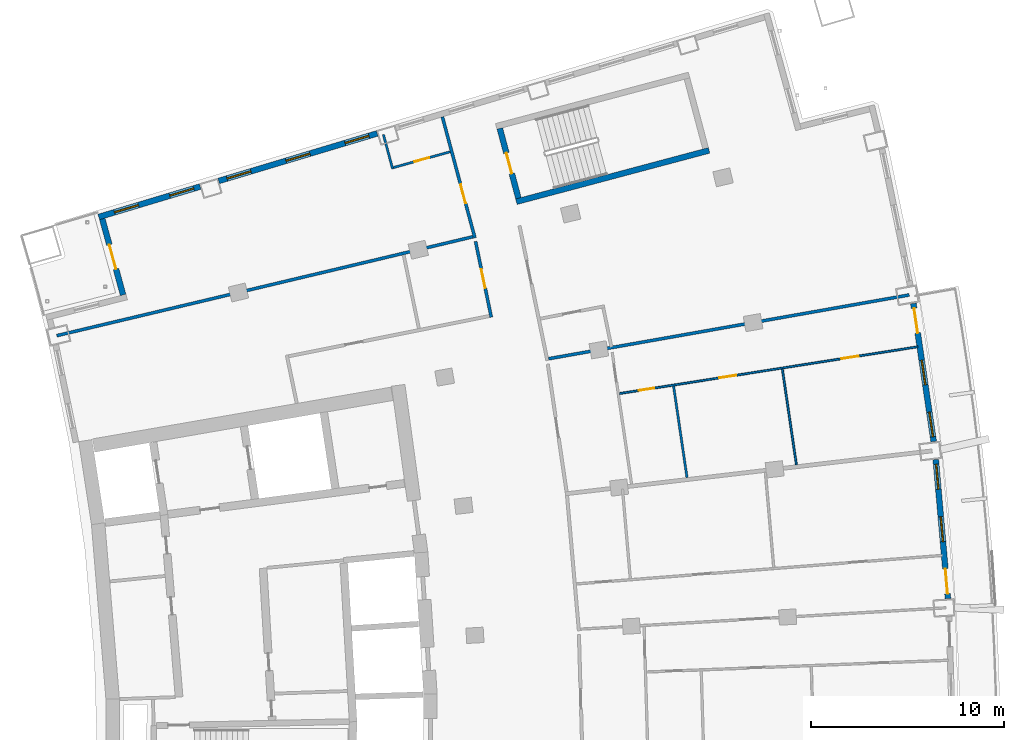
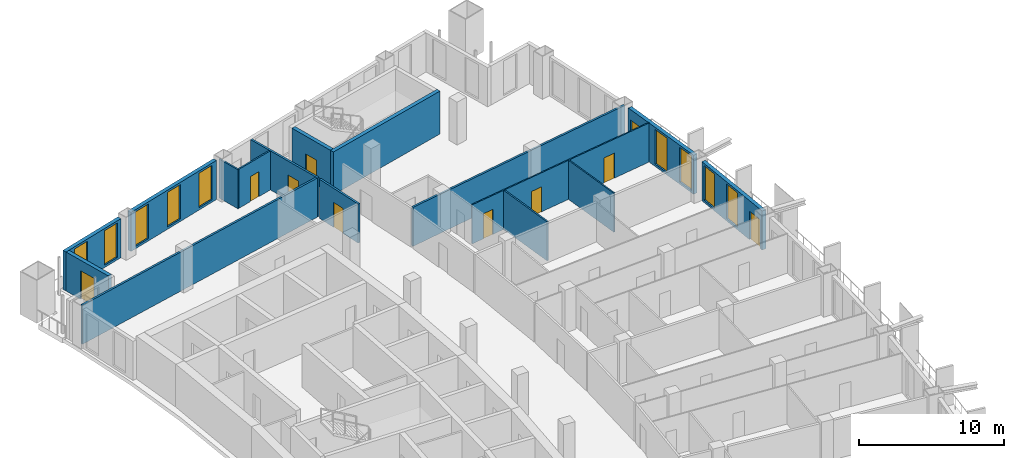
# One storey, part 16 of 20: 16 walls, 10 doors, 9 windows, 19 openings.
"""IFC4 building model written with IfcOpenShell, lengths in metres."""

from ifc_helpers import new_model, si_unit, direction, frame, frame_2d, origin, place, context, subcontext, project, spatial, rectangle, extrude, material, layer, layer_set, type_object, element, fill, save


model = new_model("IFC4")

# Units and contexts
model_context = context("Model", 3, precision=1e-05, world=origin(), true_north=direction((0.0, 1.0)))
body_context = subcontext(model_context, "Body", "Model", "MODEL_VIEW")
ifc_project = project(units=[si_unit("LENGTHUNIT", "METRE"), si_unit("AREAUNIT", "SQUARE_METRE"), si_unit("VOLUMEUNIT", "CUBIC_METRE"), si_unit("PLANEANGLEUNIT", "RADIAN"), si_unit("MASSUNIT", "GRAM", prefix="KILO")], contexts=[model_context])

# Site, building, storey
site_placement = place(None, origin())
site = spatial("IfcSite", under=ifc_project, at=site_placement, CompositionType="ELEMENT")
building_placement = place(site_placement, origin())
building = spatial("IfcBuilding", under=site, at=building_placement, Name="Alderwake Tower", CompositionType="ELEMENT")
storey_placement = place(building_placement, frame((0.0, 0.0, 142.39990234375)))
storey = spatial("IfcBuildingStorey", under=building, at=storey_placement, Name="L34", CompositionType="ELEMENT", Elevation=142.39990234375)

# Wall
ifc_material_1 = material(Name="Concrete C70/85", Category="concrete")
ifc_layer_1 = layer(ifc_material_1, 0.300048828125)
ifc_layer_set_1 = layer_set([ifc_layer_1], Name="Core wall stair enclosure 300 C70-85")
wall_type_1 = type_object("IfcWallType", Name="Core wall stair enclosure 300 C70-85", PredefinedType="SHEAR", material=ifc_layer_set_1)
wall_1_placement = place(storey_placement, frame((37.75390625, 90.268798828125, 0.0), z_axis=(0.0, 0.0, 1.0), x_axis=(0.966309214305, 0.257383958996, 0.0)))
element("IfcWall", 1, at=wall_1_placement, inside=storey, type_object=wall_type_1, Name="Core wall CW.084", PredefinedType="SHEAR", context=body_context, shape_type="SweptSolid", body=[
    extrude(rectangle(XDim=10.360107421875, YDim=0.300048828125, at=frame_2d((5.18017578125, 0.0))), origin(), (0.0, 0.0, 1.0), 3.60009765625),
])

# Wall, opening, door
wall_2_placement = place(storey_placement, frame((37.8603515625, 90.452392578125, 0.0), z_axis=(0.0, 0.0, 1.0), x_axis=(-0.257411420208, 0.966301899381, 0.0)))
wall_2 = element("IfcWall", 2, at=wall_2_placement, inside=storey, type_object=wall_type_1, Name="Core wall CW.083", PredefinedType="SHEAR", context=body_context, shape_type="SweptSolid", body=[
    extrude(rectangle(XDim=3.750244140625, YDim=0.300048828125, at=frame_2d((1.875, 0.0))), origin(), (0.0, 0.0, 1.0), 3.60009765625),
])
opening_1_placement = place(wall_2_placement, frame((1.324951171875, 0.0, 0.0)))
opening_1 = element("IfcOpeningElement", 3, at=opening_1_placement, cuts=wall_2, Name="Opening C062", PredefinedType="OPENING", context=body_context, shape_type="SweptSolid", body=[
    extrude(rectangle(XDim=1.10009765625, YDim=2.10009765625, at=frame_2d((0.550048828125, 1.050048828125))), frame((0.0, 0.159912109375, 0.0), z_axis=(0.0, -1.0, 0.0), x_axis=(1.0, 0.0, 0.0)), (0.0, 0.0, 1.0), 0.320068359375),
])
ifc_material_2 = material(Name="Steel-framed fire door leaf", Category="steel")
door_type_1 = type_object("IfcDoorType", Name="Core stair door 1100 fire-rated", OperationType="SINGLE_SWING_LEFT", PredefinedType="DOOR", material=ifc_material_2)
door_1_placement = place(opening_1_placement, origin())
door_1 = element("IfcDoor", 4, at=door_1_placement, inside=storey, type_object=door_type_1, Name="Stair door", OperationType="SINGLE_SWING_RIGHT", OverallHeight=2.10009765625, OverallWidth=1.10009765625, PredefinedType="DOOR", context=body_context, shape_type="SweptSolid", body=[
    extrude(rectangle(XDim=1.10009765625, YDim=2.10009765625, at=frame_2d((0.550048828125, 1.050048828125))), frame((0.0, 0.02490234375, 0.0), z_axis=(0.0, -1.0, 0.0), x_axis=(1.0, 0.0, 0.0)), (0.0, 0.0, 1.0), 0.050048828125),
])
fill(opening_1, door_1)

ifc_material_3 = material(Name="Gypsum board on metal studs, rated")
ifc_layer_2 = layer(ifc_material_3, 0.159912109375)
ifc_layer_set_2 = layer_set([ifc_layer_2], Name="Corridor wall 160")
wall_type_2 = type_object("IfcWallType", Name="Corridor wall 160", PredefinedType="PARTITIONING", material=ifc_layer_set_2)
wall_3_placement = place(storey_placement, frame((35.600830078125, 88.392578125, 0.0), z_axis=(0.0, 0.0, 1.0), x_axis=(-0.259509260101, 0.965740619381, 0.0)))
wall_3 = element("IfcWall", 5, at=wall_3_placement, inside=storey, type_object=wall_type_2, Name="WL/L34/W15", PredefinedType="PARTITIONING", context=body_context, shape_type="SweptSolid", body=[
    extrude(rectangle(XDim=6.50732421875, YDim=0.159912109375, at=frame_2d((3.253662109375, 0.0))), origin(), (0.0, 0.0, 1.0), 3.280029296875),
])
opening_2_placement = place(wall_3_placement, frame((1.865478515625, 0.0, 0.0)))
opening_2 = element("IfcOpeningElement", 6, at=opening_2_placement, cuts=wall_3, Name="Opening R09-U09.1", PredefinedType="OPENING", context=body_context, shape_type="SweptSolid", body=[
    extrude(rectangle(XDim=1.0, YDim=2.10009765625, at=frame_2d((0.5, 1.050048828125))), frame((0.0, 0.08984375, 0.0), z_axis=(0.0, -1.0, 0.0), x_axis=(1.0, 0.0, 0.0)), (0.0, 0.0, 1.0), 0.179931640625),
])
ifc_material_4 = material(Name="Solid timber leaf in steel frame", Category="steel")
door_type_2 = type_object("IfcDoorType", Name="Flat entrance door 1000 fire-rated", OperationType="SINGLE_SWING_LEFT", PredefinedType="DOOR", material=ifc_material_4)
door_2_placement = place(opening_2_placement, origin())
door_2 = element("IfcDoor", 7, at=door_2_placement, inside=storey, type_object=door_type_2, Name="DR/L34/U09.1", OperationType="SINGLE_SWING_LEFT", OverallHeight=2.10009765625, OverallWidth=1.0, PredefinedType="DOOR", context=body_context, shape_type="SweptSolid", body=[
    extrude(rectangle(XDim=1.0, YDim=2.10009765625, at=frame_2d((0.5, 1.050048828125))), frame((0.0, 0.02490234375, 0.0), z_axis=(0.0, -1.0, 0.0), x_axis=(1.0, 0.0, 0.0)), (0.0, 0.0, 1.0), 0.050048828125),
])
fill(opening_2, door_2)

# Wall
wall_4_placement = place(storey_placement, frame((35.502197265625, 88.451416015625, 0.0), z_axis=(0.0, 0.0, 1.0), x_axis=(-0.972894913244, -0.231247676278, 0.0)))
element("IfcWall", 8, at=wall_4_placement, inside=storey, type_object=wall_type_2, Name="WL/L34/W17", PredefinedType="PARTITIONING", context=body_context, shape_type="SweptSolid", body=[
    extrude(rectangle(XDim=22.220458984375, YDim=0.159912109375, at=frame_2d((11.1103515625, 0.0))), origin(), (0.0, 0.0, 1.0), 3.280029296875),
])

# Wall, opening, door
wall_5_placement = place(storey_placement, frame((36.451416015625, 84.272705078125, 0.0), z_axis=(0.0, 0.0, 1.0), x_axis=(-0.203258199701, 0.979125172924, 0.0)))
wall_5 = element("IfcWall", 9, at=wall_5_placement, inside=storey, type_object=wall_type_2, Name="WL/L34/W18", PredefinedType="PARTITIONING", context=body_context, shape_type="SweptSolid", body=[
    extrude(rectangle(XDim=4.020263671875, YDim=0.159912109375, at=frame_2d((2.01025390625, 0.0))), origin(), (0.0, 0.0, 1.0), 3.280029296875),
])
opening_3_placement = place(wall_5_placement, frame((1.549560546875, 0.0, 0.0)))
opening_3 = element("IfcOpeningElement", 10, at=opening_3_placement, cuts=wall_5, Name="Opening R09-SBN2", PredefinedType="OPENING", context=body_context, shape_type="SweptSolid", body=[
    extrude(rectangle(XDim=1.0, YDim=2.10009765625, at=frame_2d((0.5, 1.050048828125))), frame((0.0, 0.08984375, 0.0), z_axis=(0.0, -1.0, 0.0), x_axis=(1.0, 0.0, 0.0)), (0.0, 0.0, 1.0), 0.179931640625),
])
ifc_material_5 = material(Name="Steel-framed fire door leaf", Category="steel")
door_type_3 = type_object("IfcDoorType", Name="Plant room door 1000 fire-rated", OperationType="SINGLE_SWING_LEFT", PredefinedType="DOOR", material=ifc_material_5)
door_3_placement = place(opening_3_placement, origin())
door_3 = element("IfcDoor", 11, at=door_3_placement, inside=storey, type_object=door_type_3, Name="DR/L34/SBN2", OperationType="SINGLE_SWING_LEFT", OverallHeight=2.10009765625, OverallWidth=1.0, PredefinedType="DOOR", context=body_context, shape_type="SweptSolid", body=[
    extrude(rectangle(XDim=1.0, YDim=2.10009765625, at=frame_2d((0.5, 1.050048828125))), frame((0.0, 0.02490234375, 0.0), z_axis=(0.0, -1.0, 0.0), x_axis=(1.0, 0.0, 0.0)), (0.0, 0.0, 1.0), 0.050048828125),
])
fill(opening_3, door_3)

# Wall
wall_6_placement = place(storey_placement, frame((58.157958984375, 85.427978515625, 0.0), z_axis=(0.0, 0.0, 1.0), x_axis=(-0.9847161674, -0.174166786904, 0.0)))
element("IfcWall", 12, at=wall_6_placement, inside=storey, type_object=wall_type_2, Name="WL/L34/W29", PredefinedType="PARTITIONING", context=body_context, shape_type="SweptSolid", body=[
    extrude(rectangle(XDim=19.02197265625, YDim=0.159912109375, at=frame_2d((9.510986328125, 0.0))), origin(), (0.0, 0.0, 1.0), 3.280029296875),
])

# Wall, openings, door, windows
ifc_material_6 = material(Name="Precast concrete C50/60 spandrel panel", Category="concrete")
ifc_layer_3 = layer(ifc_material_6, 0.300048828125)
ifc_layer_set_3 = layer_set([ifc_layer_3], Name="External wall EW1 Precast concrete C50/60 spandrel")
wall_type_3 = type_object("IfcWallType", Name="External wall EW1 Precast concrete C50/60 spandrel", PredefinedType="SOLIDWALL", material=ifc_layer_set_3)
wall_7_placement = place(storey_placement, frame((60.169677734375, 69.65966796875, 0.0), z_axis=(0.0, 0.0, 1.0), x_axis=(-0.08737260162, 0.996175701614, 0.0)))
wall_7 = element("IfcWall", 13, at=wall_7_placement, inside=storey, type_object=wall_type_3, Name="External wall 17", PredefinedType="SOLIDWALL", context=body_context, shape_type="SweptSolid", body=[
    extrude(rectangle(XDim=7.245361328125, YDim=0.300048828125, at=frame_2d((3.62255859375, 0.0))), origin(), (0.0, 0.0, 1.0), 3.280029296875),
])
opening_4_placement = place(wall_7_placement, frame((0.2470703125, 0.0, 0.0)))
opening_4 = element("IfcOpeningElement", 14, at=opening_4_placement, cuts=wall_7, Name="Opening D07", PredefinedType="OPENING", context=body_context, shape_type="SweptSolid", body=[
    extrude(rectangle(XDim=1.300048828125, YDim=2.39990234375, at=frame_2d((0.64990234375, 1.199951171875))), frame((0.0, 0.159912109375, 0.0), z_axis=(0.0, -1.0, 0.0), x_axis=(1.0, 0.0, 0.0)), (0.0, 0.0, 1.0), 0.320068359375),
])
opening_5_placement = place(wall_7_placement, frame((2.97265625, 0.0, 0.199951171875)))
opening_5 = element("IfcOpeningElement", 15, at=opening_5_placement, cuts=wall_7, Name="Opening W1", PredefinedType="OPENING", context=body_context, shape_type="SweptSolid", body=[
    extrude(rectangle(XDim=1.300048828125, YDim=2.89990234375, at=frame_2d((0.64990234375, 1.449951171875))), frame((0.0, 0.159912109375, 0.0), z_axis=(0.0, -1.0, 0.0), x_axis=(1.0, 0.0, 0.0)), (0.0, 0.0, 1.0), 0.320068359375),
])
opening_6_placement = place(wall_7_placement, frame((5.698486328125, 0.0, 0.199951171875)))
opening_6 = element("IfcOpeningElement", 16, at=opening_6_placement, cuts=wall_7, Name="Opening W1", PredefinedType="OPENING", context=body_context, shape_type="SweptSolid", body=[
    extrude(rectangle(XDim=1.300048828125, YDim=2.89990234375, at=frame_2d((0.64990234375, 1.449951171875))), frame((0.0, 0.159912109375, 0.0), z_axis=(0.0, -1.0, 0.0), x_axis=(1.0, 0.0, 0.0)), (0.0, 0.0, 1.0), 0.320068359375),
])
ifc_material_7 = material(Name="Bronze tinted glass in aluminium frame", Category="aluminium")
door_type_4 = type_object("IfcDoorType", Name="Balcony door BD sliding", OperationType="SLIDING_TO_LEFT", PredefinedType="DOOR", material=ifc_material_7)
door_4_placement = place(opening_4_placement, origin())
door_4 = element("IfcDoor", 17, at=door_4_placement, inside=storey, type_object=door_type_4, Name="Door D07", OperationType="SLIDING_TO_LEFT", OverallHeight=2.39990234375, OverallWidth=1.300048828125, PredefinedType="DOOR", context=body_context, shape_type="SweptSolid", body=[
    extrude(rectangle(XDim=1.300048828125, YDim=2.39990234375, at=frame_2d((0.64990234375, 1.199951171875))), frame((0.0, 0.02490234375, 0.0), z_axis=(0.0, -1.0, 0.0), x_axis=(1.0, 0.0, 0.0)), (0.0, 0.0, 1.0), 0.050048828125),
])
fill(opening_4, door_4)
ifc_material_8 = material(Name="Bronze tinted glass in aluminium frame", Category="aluminium")
window_type = type_object("IfcWindowType", Name="Window W1 tall fixed and vent", PartitioningType="DOUBLE_PANEL_VERTICAL", PredefinedType="WINDOW", material=ifc_material_8)
window_1_placement = place(opening_5_placement, origin())
window_1 = element("IfcWindow", 18, at=window_1_placement, inside=storey, type_object=window_type, Name="Window W1 tall fixed and vent", OverallHeight=2.89990234375, OverallWidth=1.300048828125, PartitioningType="DOUBLE_PANEL_VERTICAL", PredefinedType="WINDOW", context=body_context, shape_type="SweptSolid", body=[
    extrude(rectangle(XDim=1.300048828125, YDim=2.89990234375, at=frame_2d((0.64990234375, 1.449951171875))), frame((0.0, 0.030029296875, 0.0), z_axis=(0.0, -1.0, 0.0), x_axis=(1.0, 0.0, 0.0)), (0.0, 0.0, 1.0), 0.06005859375),
])
fill(opening_5, window_1)
window_2_placement = place(opening_6_placement, origin())
window_2 = element("IfcWindow", 19, at=window_2_placement, inside=storey, type_object=window_type, Name="Window W1 tall fixed and vent", OverallHeight=2.89990234375, OverallWidth=1.300048828125, PartitioningType="DOUBLE_PANEL_VERTICAL", PredefinedType="WINDOW", context=body_context, shape_type="SweptSolid", body=[
    extrude(rectangle(XDim=1.300048828125, YDim=2.89990234375, at=frame_2d((0.64990234375, 1.449951171875))), frame((0.0, 0.030029296875, 0.0), z_axis=(0.0, -1.0, 0.0), x_axis=(1.0, 0.0, 0.0)), (0.0, 0.0, 1.0), 0.06005859375),
])
fill(opening_6, window_2)

wall_8_placement = place(storey_placement, frame((59.426513671875, 77.81689453125, 0.0), z_axis=(0.0, 0.0, 1.0), x_axis=(-0.145331014962, 0.989383088642, 0.0)))
wall_8 = element("IfcWall", 20, at=wall_8_placement, inside=storey, type_object=wall_type_3, Name="External wall 18", PredefinedType="SOLIDWALL", context=body_context, shape_type="SweptSolid", body=[
    extrude(rectangle(XDim=7.245361328125, YDim=0.300048828125, at=frame_2d((3.62255859375, 0.0))), origin(), (0.0, 0.0, 1.0), 3.280029296875),
])
opening_7_placement = place(wall_8_placement, frame((0.2470703125, 0.0, 0.199951171875)))
opening_7 = element("IfcOpeningElement", 21, at=opening_7_placement, cuts=wall_8, Name="Opening W1", PredefinedType="OPENING", context=body_context, shape_type="SweptSolid", body=[
    extrude(rectangle(XDim=1.300048828125, YDim=2.89990234375, at=frame_2d((0.64990234375, 1.449951171875))), frame((0.0, 0.159912109375, 0.0), z_axis=(0.0, -1.0, 0.0), x_axis=(1.0, 0.0, 0.0)), (0.0, 0.0, 1.0), 0.320068359375),
])
opening_8_placement = place(wall_8_placement, frame((2.97265625, 0.0, 0.199951171875)))
opening_8 = element("IfcOpeningElement", 22, at=opening_8_placement, cuts=wall_8, Name="Opening W1", PredefinedType="OPENING", context=body_context, shape_type="SweptSolid", body=[
    extrude(rectangle(XDim=1.300048828125, YDim=2.89990234375, at=frame_2d((0.64990234375, 1.449951171875))), frame((0.0, 0.159912109375, 0.0), z_axis=(0.0, -1.0, 0.0), x_axis=(1.0, 0.0, 0.0)), (0.0, 0.0, 1.0), 0.320068359375),
])
opening_9_placement = place(wall_8_placement, frame((5.698486328125, 0.0, 0.0)))
opening_9 = element("IfcOpeningElement", 23, at=opening_9_placement, cuts=wall_8, Name="Opening D08", PredefinedType="OPENING", context=body_context, shape_type="SweptSolid", body=[
    extrude(rectangle(XDim=1.300048828125, YDim=2.39990234375, at=frame_2d((0.64990234375, 1.199951171875))), frame((0.0, 0.159912109375, 0.0), z_axis=(0.0, -1.0, 0.0), x_axis=(1.0, 0.0, 0.0)), (0.0, 0.0, 1.0), 0.320068359375),
])
door_5_placement = place(opening_9_placement, origin())
door_5 = element("IfcDoor", 24, at=door_5_placement, inside=storey, type_object=door_type_4, Name="Door D08", OperationType="SLIDING_TO_LEFT", OverallHeight=2.39990234375, OverallWidth=1.300048828125, PredefinedType="DOOR", context=body_context, shape_type="SweptSolid", body=[
    extrude(rectangle(XDim=1.300048828125, YDim=2.39990234375, at=frame_2d((0.64990234375, 1.199951171875))), frame((0.0, 0.02490234375, 0.0), z_axis=(0.0, -1.0, 0.0), x_axis=(1.0, 0.0, 0.0)), (0.0, 0.0, 1.0), 0.050048828125),
])
fill(opening_9, door_5)
window_3_placement = place(opening_7_placement, origin())
window_3 = element("IfcWindow", 25, at=window_3_placement, inside=storey, type_object=window_type, Name="Window W1 tall fixed and vent", OverallHeight=2.89990234375, OverallWidth=1.300048828125, PartitioningType="DOUBLE_PANEL_VERTICAL", PredefinedType="WINDOW", context=body_context, shape_type="SweptSolid", body=[
    extrude(rectangle(XDim=1.300048828125, YDim=2.89990234375, at=frame_2d((0.64990234375, 1.449951171875))), frame((0.0, 0.030029296875, 0.0), z_axis=(0.0, -1.0, 0.0), x_axis=(1.0, 0.0, 0.0)), (0.0, 0.0, 1.0), 0.06005859375),
])
fill(opening_7, window_3)
window_4_placement = place(opening_8_placement, origin())
window_4 = element("IfcWindow", 26, at=window_4_placement, inside=storey, type_object=window_type, Name="Window W1 tall fixed and vent", OverallHeight=2.89990234375, OverallWidth=1.300048828125, PartitioningType="DOUBLE_PANEL_VERTICAL", PredefinedType="WINDOW", context=body_context, shape_type="SweptSolid", body=[
    extrude(rectangle(XDim=1.300048828125, YDim=2.89990234375, at=frame_2d((0.64990234375, 1.449951171875))), frame((0.0, 0.030029296875, 0.0), z_axis=(0.0, -1.0, 0.0), x_axis=(1.0, 0.0, 0.0)), (0.0, 0.0, 1.0), 0.06005859375),
])
fill(opening_8, window_4)

# Wall, openings, windows
ifc_material_9 = material(Name="Bronze metal cladding on lightweight framing")
ifc_layer_4 = layer(ifc_material_9, 0.300048828125)
ifc_layer_set_4 = layer_set([ifc_layer_4], Name="External wall EW2 bronze metal cladding")
wall_type_4 = type_object("IfcWallType", Name="External wall EW2 bronze metal cladding", PredefinedType="SOLIDWALL", material=ifc_layer_set_4)
wall_9_placement = place(storey_placement, frame((30.527587890625, 93.818115234375, 0.0), z_axis=(0.0, 0.0, 1.0), x_axis=(-0.957768419769, -0.287540699891, 0.0)))
wall_9 = element("IfcWall", 27, at=wall_9_placement, inside=storey, type_object=wall_type_4, Name="External wall 26", PredefinedType="SOLIDWALL", context=body_context, shape_type="SweptSolid", body=[
    extrude(rectangle(XDim=8.595947265625, YDim=0.300048828125, at=frame_2d((4.2978515625, 0.0))), origin(), (0.0, 0.0, 1.0), 3.280029296875),
])
opening_10_placement = place(wall_9_placement, frame((0.447998046875, 0.0, 0.199951171875)))
opening_10 = element("IfcOpeningElement", 28, at=opening_10_placement, cuts=wall_9, Name="Opening W1", PredefinedType="OPENING", context=body_context, shape_type="SweptSolid", body=[
    extrude(rectangle(XDim=1.300048828125, YDim=2.89990234375, at=frame_2d((0.64990234375, 1.449951171875))), frame((0.0, 0.159912109375, 0.0), z_axis=(0.0, -1.0, 0.0), x_axis=(1.0, 0.0, 0.0)), (0.0, 0.0, 1.0), 0.320068359375),
])
opening_11_placement = place(wall_9_placement, frame((3.64794921875, 0.0, 0.199951171875)))
opening_11 = element("IfcOpeningElement", 29, at=opening_11_placement, cuts=wall_9, Name="Opening W1", PredefinedType="OPENING", context=body_context, shape_type="SweptSolid", body=[
    extrude(rectangle(XDim=1.300048828125, YDim=2.89990234375, at=frame_2d((0.64990234375, 1.449951171875))), frame((0.0, 0.159912109375, 0.0), z_axis=(0.0, -1.0, 0.0), x_axis=(1.0, 0.0, 0.0)), (0.0, 0.0, 1.0), 0.320068359375),
])
opening_12_placement = place(wall_9_placement, frame((6.84814453125, 0.0, 0.199951171875)))
opening_12 = element("IfcOpeningElement", 30, at=opening_12_placement, cuts=wall_9, Name="Opening W1", PredefinedType="OPENING", context=body_context, shape_type="SweptSolid", body=[
    extrude(rectangle(XDim=1.300048828125, YDim=2.89990234375, at=frame_2d((0.64990234375, 1.449951171875))), frame((0.0, 0.159912109375, 0.0), z_axis=(0.0, -1.0, 0.0), x_axis=(1.0, 0.0, 0.0)), (0.0, 0.0, 1.0), 0.320068359375),
])
window_5_placement = place(opening_10_placement, origin())
window_5 = element("IfcWindow", 31, at=window_5_placement, inside=storey, type_object=window_type, Name="Window W1 tall fixed and vent", OverallHeight=2.89990234375, OverallWidth=1.300048828125, PartitioningType="DOUBLE_PANEL_VERTICAL", PredefinedType="WINDOW", context=body_context, shape_type="SweptSolid", body=[
    extrude(rectangle(XDim=1.300048828125, YDim=2.89990234375, at=frame_2d((0.64990234375, 1.449951171875))), frame((0.0, 0.030029296875, 0.0), z_axis=(0.0, -1.0, 0.0), x_axis=(1.0, 0.0, 0.0)), (0.0, 0.0, 1.0), 0.06005859375),
])
fill(opening_10, window_5)
window_6_placement = place(opening_11_placement, origin())
window_6 = element("IfcWindow", 32, at=window_6_placement, inside=storey, type_object=window_type, Name="Window W1 tall fixed and vent", OverallHeight=2.89990234375, OverallWidth=1.300048828125, PartitioningType="DOUBLE_PANEL_VERTICAL", PredefinedType="WINDOW", context=body_context, shape_type="SweptSolid", body=[
    extrude(rectangle(XDim=1.300048828125, YDim=2.89990234375, at=frame_2d((0.64990234375, 1.449951171875))), frame((0.0, 0.030029296875, 0.0), z_axis=(0.0, -1.0, 0.0), x_axis=(1.0, 0.0, 0.0)), (0.0, 0.0, 1.0), 0.06005859375),
])
fill(opening_11, window_6)
window_7_placement = place(opening_12_placement, origin())
window_7 = element("IfcWindow", 33, at=window_7_placement, inside=storey, type_object=window_type, Name="Window W1 tall fixed and vent", OverallHeight=2.89990234375, OverallWidth=1.300048828125, PartitioningType="DOUBLE_PANEL_VERTICAL", PredefinedType="WINDOW", context=body_context, shape_type="SweptSolid", body=[
    extrude(rectangle(XDim=1.300048828125, YDim=2.89990234375, at=frame_2d((0.64990234375, 1.449951171875))), frame((0.0, 0.030029296875, 0.0), z_axis=(0.0, -1.0, 0.0), x_axis=(1.0, 0.0, 0.0)), (0.0, 0.0, 1.0), 0.06005859375),
])
fill(opening_12, window_7)

wall_10_placement = place(storey_placement, frame((21.332763671875, 91.0576171875, 0.0), z_axis=(0.0, 0.0, 1.0), x_axis=(-0.957767615614, -0.287543378434, 0.0)))
wall_10 = element("IfcWall", 34, at=wall_10_placement, inside=storey, type_object=wall_type_4, Name="External wall 27", PredefinedType="SOLIDWALL", context=body_context, shape_type="SweptSolid", body=[
    extrude(rectangle(XDim=5.499267578125, YDim=0.300048828125, at=frame_2d((2.74951171875, 0.0))), origin(), (0.0, 0.0, 1.0), 3.280029296875),
])
opening_13_placement = place(wall_10_placement, frame((0.34814453125, 0.0, 0.199951171875)))
opening_13 = element("IfcOpeningElement", 35, at=opening_13_placement, cuts=wall_10, Name="Opening W1", PredefinedType="OPENING", context=body_context, shape_type="SweptSolid", body=[
    extrude(rectangle(XDim=1.300048828125, YDim=2.89990234375, at=frame_2d((0.64990234375, 1.449951171875))), frame((0.0, 0.159912109375, 0.0), z_axis=(0.0, -1.0, 0.0), x_axis=(1.0, 0.0, 0.0)), (0.0, 0.0, 1.0), 0.320068359375),
])
opening_14_placement = place(wall_10_placement, frame((3.34912109375, 0.0, 0.199951171875)))
opening_14 = element("IfcOpeningElement", 36, at=opening_14_placement, cuts=wall_10, Name="Opening W1", PredefinedType="OPENING", context=body_context, shape_type="SweptSolid", body=[
    extrude(rectangle(XDim=1.300048828125, YDim=2.89990234375, at=frame_2d((0.64990234375, 1.449951171875))), frame((0.0, 0.159912109375, 0.0), z_axis=(0.0, -1.0, 0.0), x_axis=(1.0, 0.0, 0.0)), (0.0, 0.0, 1.0), 0.320068359375),
])
window_8_placement = place(opening_13_placement, origin())
window_8 = element("IfcWindow", 37, at=window_8_placement, inside=storey, type_object=window_type, Name="Window W1 tall fixed and vent", OverallHeight=2.89990234375, OverallWidth=1.300048828125, PartitioningType="DOUBLE_PANEL_VERTICAL", PredefinedType="WINDOW", context=body_context, shape_type="SweptSolid", body=[
    extrude(rectangle(XDim=1.300048828125, YDim=2.89990234375, at=frame_2d((0.64990234375, 1.449951171875))), frame((0.0, 0.030029296875, 0.0), z_axis=(0.0, -1.0, 0.0), x_axis=(1.0, 0.0, 0.0)), (0.0, 0.0, 1.0), 0.06005859375),
])
fill(opening_13, window_8)
window_9_placement = place(opening_14_placement, origin())
window_9 = element("IfcWindow", 38, at=window_9_placement, inside=storey, type_object=window_type, Name="Window W1 tall fixed and vent", OverallHeight=2.89990234375, OverallWidth=1.300048828125, PartitioningType="DOUBLE_PANEL_VERTICAL", PredefinedType="WINDOW", context=body_context, shape_type="SweptSolid", body=[
    extrude(rectangle(XDim=1.300048828125, YDim=2.89990234375, at=frame_2d((0.64990234375, 1.449951171875))), frame((0.0, 0.030029296875, 0.0), z_axis=(0.0, -1.0, 0.0), x_axis=(1.0, 0.0, 0.0)), (0.0, 0.0, 1.0), 0.06005859375),
])
fill(opening_14, window_9)

# Wall, opening, door
wall_11_placement = place(storey_placement, frame((16.248779296875, 89.374755859375, 0.0), z_axis=(0.0, 0.0, 1.0), x_axis=(0.264607053468, -0.964356317579, 0.0)))
wall_11 = element("IfcWall", 39, at=wall_11_placement, inside=storey, type_object=wall_type_4, Name="External wall 28", PredefinedType="SOLIDWALL", context=body_context, shape_type="SweptSolid", body=[
    extrude(rectangle(XDim=4.090087890625, YDim=0.300048828125, at=frame_2d((2.044921875, 0.0))), origin(), (0.0, 0.0, 1.0), 3.280029296875),
])
opening_15_placement = place(wall_11_placement, frame((1.39501953125, 0.0, 0.0)))
opening_15 = element("IfcOpeningElement", 40, at=opening_15_placement, cuts=wall_11, Name="Opening D09", PredefinedType="OPENING", context=body_context, shape_type="SweptSolid", body=[
    extrude(rectangle(XDim=1.300048828125, YDim=2.39990234375, at=frame_2d((0.64990234375, 1.199951171875))), frame((0.0, 0.159912109375, 0.0), z_axis=(0.0, -1.0, 0.0), x_axis=(1.0, 0.0, 0.0)), (0.0, 0.0, 1.0), 0.320068359375),
])
door_6_placement = place(opening_15_placement, origin())
door_6 = element("IfcDoor", 41, at=door_6_placement, inside=storey, type_object=door_type_4, Name="Door D09", OperationType="SLIDING_TO_LEFT", OverallHeight=2.39990234375, OverallWidth=1.300048828125, PredefinedType="DOOR", context=body_context, shape_type="SweptSolid", body=[
    extrude(rectangle(XDim=1.300048828125, YDim=2.39990234375, at=frame_2d((0.64990234375, 1.199951171875))), frame((0.0, 0.02490234375, 0.0), z_axis=(0.0, -1.0, 0.0), x_axis=(1.0, 0.0, 0.0)), (0.0, 0.0, 1.0), 0.050048828125),
])
fill(opening_15, door_6)

# Wall, openings, doors
ifc_material_10 = material(Name="Gypsum board on metal studs")
ifc_layer_5 = layer(ifc_material_10, 0.10009765625)
ifc_layer_set_5 = layer_set([ifc_layer_5], Name="Unit partition 100")
wall_type_5 = type_object("IfcWallType", Name="Unit partition 100", PredefinedType="PARTITIONING", material=ifc_layer_set_5)
wall_12_placement = place(storey_placement, frame((58.60205078125, 82.737060546875, 0.0), z_axis=(0.0, 0.0, 1.0), x_axis=(-0.98792476, -0.154934400888, 0.0)))
wall_12 = element("IfcWall", 42, at=wall_12_placement, inside=storey, type_object=wall_type_5, Name="WL/L34/W49", PredefinedType="PARTITIONING", context=body_context, shape_type="SweptSolid", body=[
    extrude(rectangle(XDim=15.68212890625, YDim=0.10009765625, at=frame_2d((7.841064453125, 0.0))), origin(), (0.0, 0.0, 1.0), 3.280029296875),
])
opening_16_placement = place(wall_12_placement, frame((9.535400390625, 0.0, 0.0)))
opening_16 = element("IfcOpeningElement", 43, at=opening_16_placement, cuts=wall_12, Name="Opening R09-U07.1", PredefinedType="OPENING", context=body_context, shape_type="SweptSolid", body=[
    extrude(rectangle(XDim=0.89990234375, YDim=2.10009765625, at=frame_2d((0.449951171875, 1.050048828125))), frame((0.0, 0.06005859375, 0.0), z_axis=(0.0, -1.0, 0.0), x_axis=(1.0, 0.0, 0.0)), (0.0, 0.0, 1.0), 0.1201171875),
])
opening_17_placement = place(wall_12_placement, frame((13.86328125, 0.0, 0.0)))
opening_17 = element("IfcOpeningElement", 44, at=opening_17_placement, cuts=wall_12, Name="Opening R09-U07.4", PredefinedType="OPENING", context=body_context, shape_type="SweptSolid", body=[
    extrude(rectangle(XDim=0.800048828125, YDim=2.10009765625, at=frame_2d((0.39990234375, 1.050048828125))), frame((0.0, 0.06005859375, 0.0), z_axis=(0.0, -1.0, 0.0), x_axis=(1.0, 0.0, 0.0)), (0.0, 0.0, 1.0), 0.1201171875),
])
opening_18_placement = place(wall_12_placement, frame((3.11328125, 0.0, 0.0)))
opening_18 = element("IfcOpeningElement", 45, at=opening_18_placement, cuts=wall_12, Name="Opening R09-U07.5", PredefinedType="OPENING", context=body_context, shape_type="SweptSolid", body=[
    extrude(rectangle(XDim=0.89990234375, YDim=2.10009765625, at=frame_2d((0.449951171875, 1.050048828125))), frame((0.0, 0.06005859375, 0.0), z_axis=(0.0, -1.0, 0.0), x_axis=(1.0, 0.0, 0.0)), (0.0, 0.0, 1.0), 0.1201171875),
])
ifc_material_11 = material(Name="Painted timber leaf", Category="wood")
door_type_5 = type_object("IfcDoorType", Name="Bathroom door 800", OperationType="SINGLE_SWING_LEFT", PredefinedType="DOOR", material=ifc_material_11)
door_7_placement = place(opening_17_placement, origin())
door_7 = element("IfcDoor", 46, at=door_7_placement, inside=storey, type_object=door_type_5, Name="DR/L34/U07.4", OperationType="SINGLE_SWING_LEFT", OverallHeight=2.10009765625, OverallWidth=0.800048828125, PredefinedType="DOOR", context=body_context, shape_type="SweptSolid", body=[
    extrude(rectangle(XDim=0.800048828125, YDim=2.10009765625, at=frame_2d((0.39990234375, 1.050048828125))), frame((0.0, 0.02490234375, 0.0), z_axis=(0.0, -1.0, 0.0), x_axis=(1.0, 0.0, 0.0)), (0.0, 0.0, 1.0), 0.050048828125),
])
fill(opening_17, door_7)
ifc_material_12 = material(Name="Painted timber leaf", Category="wood")
door_type_6 = type_object("IfcDoorType", Name="Room door 900", OperationType="SINGLE_SWING_LEFT", PredefinedType="DOOR", material=ifc_material_12)
door_8_placement = place(opening_16_placement, origin())
door_8 = element("IfcDoor", 47, at=door_8_placement, inside=storey, type_object=door_type_6, Name="DR/L34/U07.1", OperationType="SINGLE_SWING_LEFT", OverallHeight=2.10009765625, OverallWidth=0.89990234375, PredefinedType="DOOR", context=body_context, shape_type="SweptSolid", body=[
    extrude(rectangle(XDim=0.89990234375, YDim=2.10009765625, at=frame_2d((0.449951171875, 1.050048828125))), frame((0.0, 0.02490234375, 0.0), z_axis=(0.0, -1.0, 0.0), x_axis=(1.0, 0.0, 0.0)), (0.0, 0.0, 1.0), 0.050048828125),
])
fill(opening_16, door_8)
door_9_placement = place(opening_18_placement, origin())
door_9 = element("IfcDoor", 48, at=door_9_placement, inside=storey, type_object=door_type_6, Name="DR/L34/U07.5", OperationType="SINGLE_SWING_LEFT", OverallHeight=2.10009765625, OverallWidth=0.89990234375, PredefinedType="DOOR", context=body_context, shape_type="SweptSolid", body=[
    extrude(rectangle(XDim=0.89990234375, YDim=2.10009765625, at=frame_2d((0.449951171875, 1.050048828125))), frame((0.0, 0.02490234375, 0.0), z_axis=(0.0, -1.0, 0.0), x_axis=(1.0, 0.0, 0.0)), (0.0, 0.0, 1.0), 0.050048828125),
])
fill(opening_18, door_9)

# Walls
wall_13_placement = place(storey_placement, frame((52.299560546875, 76.60498046875, 0.0), z_axis=(0.0, 0.0, 1.0), x_axis=(-0.145312403771, 0.989385822271, 0.0)))
element("IfcWall", 49, at=wall_13_placement, inside=storey, type_object=wall_type_5, Name="WL/L34/W54", PredefinedType="PARTITIONING", context=body_context, shape_type="SweptSolid", body=[
    extrude(rectangle(XDim=5.031982421875, YDim=0.10009765625, at=frame_2d((2.51611328125, 0.0))), origin(), (0.0, 0.0, 1.0), 3.280029296875),
])
ifc_material_13 = material(Name="Moisture resistant gypsum board on metal studs")
ifc_layer_6 = layer(ifc_material_13, 0.1201171875)
ifc_layer_set_6 = layer_set([ifc_layer_6], Name="Wet room partition 120")
wall_type_6 = type_object("IfcWallType", Name="Wet room partition 120", PredefinedType="PARTITIONING", material=ifc_layer_set_6)
wall_14_placement = place(storey_placement, frame((30.84912109375, 93.759033203125, 0.0), z_axis=(0.0, 0.0, 1.0), x_axis=(0.259401464702, -0.965769579201, 0.0)))
element("IfcWall", 50, at=wall_14_placement, inside=storey, type_object=wall_type_6, Name="WL/L34/W30", PredefinedType="PARTITIONING", context=body_context, shape_type="SweptSolid", body=[
    extrude(rectangle(XDim=1.852294921875, YDim=0.1201171875, at=frame_2d((0.92626953125, 0.0))), origin(), (0.0, 0.0, 1.0), 3.280029296875),
])

# Wall, opening, door
wall_15_placement = place(storey_placement, frame((31.371826171875, 92.044189453125, 0.0), z_axis=(0.0, 0.0, 1.0), x_axis=(0.963351881246, 0.268240848677, 0.0)))
wall_15 = element("IfcWall", 51, at=wall_15_placement, inside=storey, type_object=wall_type_6, Name="WL/L34/W31", PredefinedType="PARTITIONING", context=body_context, shape_type="SweptSolid", body=[
    extrude(rectangle(XDim=3.05810546875, YDim=0.1201171875, at=frame_2d((1.529052734375, 0.0))), origin(), (0.0, 0.0, 1.0), 3.280029296875),
])
opening_19_placement = place(wall_15_placement, frame((1.129150390625, 0.0, 0.0)))
opening_19 = element("IfcOpeningElement", 52, at=opening_19_placement, cuts=wall_15, Name="Opening R09-U09.2", PredefinedType="OPENING", context=body_context, shape_type="SweptSolid", body=[
    extrude(rectangle(XDim=0.800048828125, YDim=2.10009765625, at=frame_2d((0.39990234375, 1.050048828125))), frame((0.0, 0.070068359375, 0.0), z_axis=(0.0, -1.0, 0.0), x_axis=(1.0, 0.0, 0.0)), (0.0, 0.0, 1.0), 0.14013671875),
])
door_10_placement = place(opening_19_placement, origin())
door_10 = element("IfcDoor", 53, at=door_10_placement, inside=storey, type_object=door_type_5, Name="DR/L34/U09.2", OperationType="SINGLE_SWING_LEFT", OverallHeight=2.10009765625, OverallWidth=0.800048828125, PredefinedType="DOOR", context=body_context, shape_type="SweptSolid", body=[
    extrude(rectangle(XDim=0.800048828125, YDim=2.10009765625, at=frame_2d((0.39990234375, 1.050048828125))), frame((0.0, 0.02490234375, 0.0), z_axis=(0.0, -1.0, 0.0), x_axis=(1.0, 0.0, 0.0)), (0.0, 0.0, 1.0), 0.050048828125),
])
fill(opening_19, door_10)

# Wall
wall_16_placement = place(storey_placement, frame((46.617431640625, 75.93896484375, 0.0), z_axis=(0.0, 0.0, 1.0), x_axis=(-0.145238137818, 0.989396726962, 0.0)))
element("IfcWall", 54, at=wall_16_placement, inside=storey, type_object=wall_type_6, Name="WL/L34/W43", PredefinedType="PARTITIONING", context=body_context, shape_type="SweptSolid", body=[
    extrude(rectangle(XDim=4.8076171875, YDim=0.1201171875, at=frame_2d((2.40380859375, 0.0))), origin(), (0.0, 0.0, 1.0), 3.280029296875),
])

save(model, "model.ifc")
